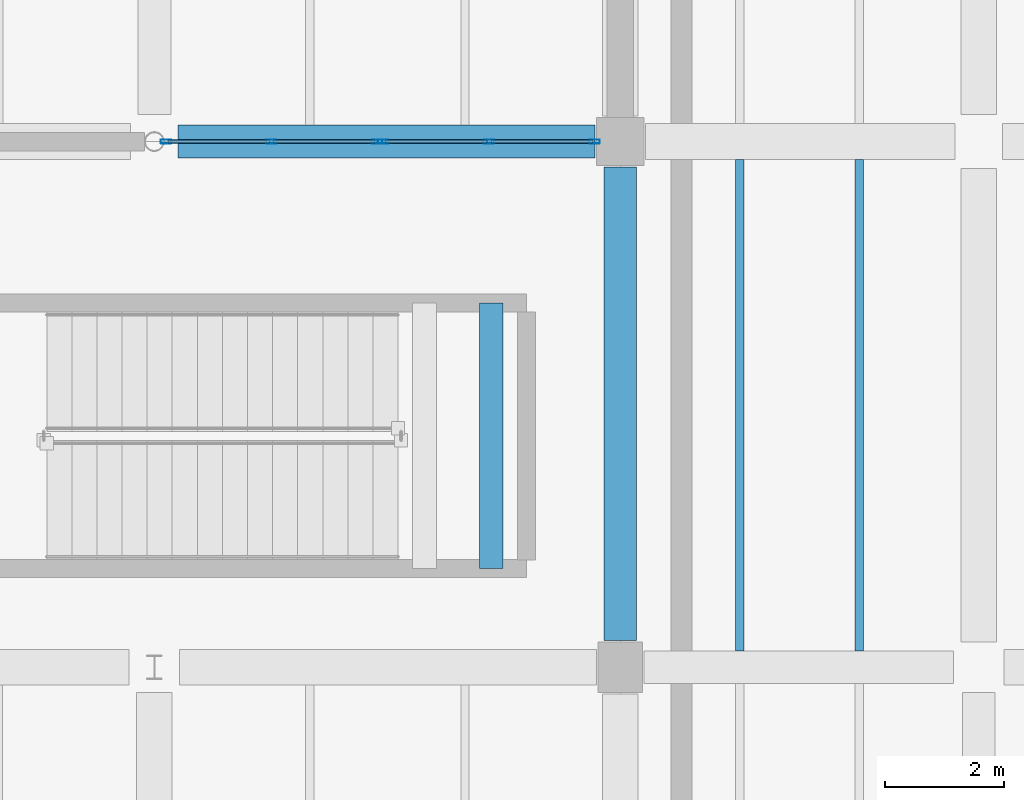
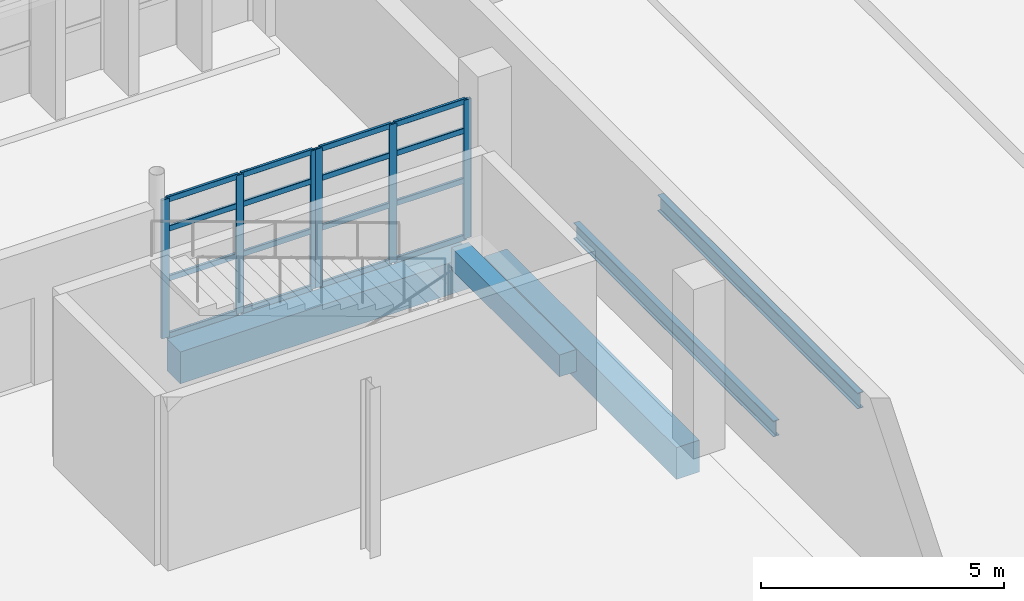
# One storey, part 26 of 76: 22 members, 5 beams, 2 elements without a shape of their own.
"""IFC4 building model written with IfcOpenShell, lengths in metres."""

from ifc_helpers import new_model, si_unit, direction, frame, origin, origin_2d, place, context, subcontext, project, spatial, rectangle, hollow_rectangle, i_section, extrude, material, material_profile, profile_set, type_object, element, aggregate, save


model = new_model("IFC4")

# Units and contexts
model_context = context("Model", 3, precision=1e-05, world=origin(), true_north=direction((0.0, 1.0)))
body_context = subcontext(model_context, "Body", "Model", "MODEL_VIEW")
ifc_project = project(units=[si_unit("LENGTHUNIT", "METRE"), si_unit("AREAUNIT", "SQUARE_METRE"), si_unit("VOLUMEUNIT", "CUBIC_METRE"), si_unit("PLANEANGLEUNIT", "RADIAN"), si_unit("MASSUNIT", "GRAM", prefix="KILO")], contexts=[model_context])

# Site, building, storey
site_placement = place(None, origin())
site = spatial("IfcSite", under=ifc_project, at=site_placement, CompositionType="ELEMENT")
building_placement = place(site_placement, origin())
building = spatial("IfcBuilding", under=site, at=building_placement, Name="Varnakota Cinema and Media Centre", CompositionType="ELEMENT")
storey_placement = place(building_placement, origin())
storey = spatial("IfcBuildingStorey", under=building, at=storey_placement, Name="L00", CompositionType="ELEMENT", Elevation=0.0)

# Beams
ifc_material_1 = material(Name="Concrete M35", Category="concrete")
ifc_material_profile_1 = material_profile(ifc_material_1, rectangle(XDim=0.39990234375, YDim=0.550048828125, at=origin_2d()), Name="RCB 400x550")
ifc_profile_set_1 = profile_set([ifc_material_profile_1], Name="Concrete M35")
beam_type_1 = type_object("IfcBeamType", Name="BM-RC-400x550", PredefinedType="BEAM", material=ifc_profile_set_1)
beam_1_placement = place(storey_placement, frame((72.840087890625, 19.25, 1.77490234375), z_axis=(0.0, 1.0, 0.0), x_axis=(-1.0, 0.0, 0.0)))
element("IfcBeam", 1, at=beam_1_placement, inside=storey, type_object=beam_type_1, Name="L00 ST-04 landing support beam 2", PredefinedType="BEAM", context=body_context, shape_type="SweptSolid", body=[
    extrude(rectangle(XDim=0.39990234375, YDim=0.550048828125, at=origin_2d()), origin(), (0.0, 0.0, 1.0), 4.449951171875),
])
ifc_material_2 = material(Name="Concrete M35", Category="concrete")
ifc_material_profile_2 = material_profile(ifc_material_2, rectangle(XDim=0.550048828125, YDim=0.800048828125, at=origin_2d()), Name="RCB 550x800")
ifc_profile_set_2 = profile_set([ifc_material_profile_2], Name="Concrete M35")
beam_type_2 = type_object("IfcBeamType", Name="BM-RC-550x800", PredefinedType="BEAM", material=ifc_profile_set_2)
beam_2_placement = place(storey_placement, frame((67.60009765625, 26.39990234375, -0.679931640625), z_axis=(1.0, 0.0, 0.0), x_axis=(0.0, 1.0, 0.0)))
element("IfcBeam", 2, at=beam_2_placement, inside=storey, type_object=beam_type_2, Name="L00 girder J-K/4", PredefinedType="BEAM", context=body_context, shape_type="SweptSolid", body=[
    extrude(rectangle(XDim=0.550048828125, YDim=0.800048828125, at=origin_2d()), origin(), (0.0, 0.0, 1.0), 6.974853515625),
])
beam_3_placement = place(storey_placement, frame((75.0, 18.050048828125, -0.679931640625), z_axis=(0.0, 1.0, 0.0), x_axis=(-1.0, 0.0, 0.0)))
element("IfcBeam", 3, at=beam_3_placement, inside=storey, type_object=beam_type_2, Name="L00 girder K/3-4", PredefinedType="BEAM", context=body_context, shape_type="SweptSolid", body=[
    extrude(rectangle(XDim=0.550048828125, YDim=0.800048828125, at=origin_2d()), origin(), (0.0, 0.0, 1.0), 7.925048828125),
])
ifc_material_3 = material(Name="Structural steel Grade 350 (E350)", Category="steel")
ifc_material_profile_3 = material_profile(ifc_material_3, i_section(OverallWidth=0.139892578125, OverallDepth=0.39990234375, WebThickness=0.0087890625, FlangeThickness=0.01611328125, FilletRadius=0.013916015625, at=origin_2d()), Name="ISMB 400")
ifc_profile_set_3 = profile_set([ifc_material_profile_3], Name="Structural steel Grade 350 (E350)")
beam_type_3 = type_object("IfcBeamType", Name="BM-ST-ISMB400", PredefinedType="JOIST", material=ifc_profile_set_3)
for number, where, z_axis, x_axis, name in (
    (4, (77.0, 17.875, -0.47998046875), (0.0, 1.0, 0.0), (-1.0, 0.0, 0.0), "L00 steel joist K-L/3-4 #1"),
    (5, (79.0, 17.875, -0.47998046875), (0.0, 1.0, 0.0), (-1.0, 0.0, 0.0), "L00 steel joist K-L/3-4 #2"),
):
    element("IfcBeam", number, at=place(storey_placement, frame(where, z_axis=z_axis, x_axis=x_axis)), inside=storey, type_object=beam_type_3, Name=name, PredefinedType="JOIST", context=body_context, shape_type="SweptSolid", body=[
        extrude(i_section(OverallWidth=0.139892578125, OverallDepth=0.39990234375, WebThickness=0.0087890625, FlangeThickness=0.01611328125, FilletRadius=0.013916015625, at=origin_2d()), origin(), (0.0, 0.0, 1.0), 8.22509765625),
    ])

# Curtain wall, members
ifc_material_4 = material(Name="Thermally broken anodised aluminium AW-6063", Category="aluminium")
curtain_wall_type = type_object("IfcCurtainWallType", Name="CW-STD-360x348", PredefinedType="USERDEFINED", material=ifc_material_4)
curtain_wall_1_placement = place(storey_placement, origin())
curtain_wall_1 = element("IfcCurtainWall", 6, at=curtain_wall_1_placement, inside=storey, type_object=curtain_wall_type, Name="L00 curtain wall CW-L00-V6-N-03-1", ObjectType="UNITISED CURTAIN WALL", PredefinedType="USERDEFINED")
ifc_material_5 = material(Name="Thermally broken anodised aluminium AW-6063", Category="aluminium")
ifc_material_profile_4 = material_profile(ifc_material_5, hollow_rectangle(XDim=0.06494140625, YDim=0.179931640625, WallThickness=0.00390625, InnerFilletRadius=0.00390625, OuterFilletRadius=0.008056640625, at=origin_2d()), Name="AL-MULLION 180x65x4")
ifc_profile_set_4 = profile_set([ifc_material_profile_4], Name="Thermally broken anodised aluminium AW-6063")
member_type_1 = type_object("IfcMemberType", Name="CWM-AL-180", PredefinedType="MULLION", material=ifc_profile_set_4)
member_1_placement = place(storey_placement, frame((67.39453125, 26.39990234375, 0.0), z_axis=(0.0, 0.0, 1.0), x_axis=(0.0, 1.0, 0.0)))
member_1 = element("IfcMember", 7, at=member_1_placement, type_object=member_type_1, Name="CW10 mullion 1", PredefinedType="MULLION", context=body_context, shape_type="SweptSolid", body=[
    extrude(hollow_rectangle(XDim=0.06494140625, YDim=0.179931640625, WallThickness=0.00390625, InnerFilletRadius=0.00390625, OuterFilletRadius=0.008056640625, at=origin_2d()), origin(), (0.0, 0.0, 1.0), 3.485107421875),
])
member_2_placement = place(storey_placement, frame((69.16162109375, 26.39990234375, 0.0), z_axis=(0.0, 0.0, 1.0), x_axis=(0.0, 1.0, 0.0)))
member_2 = element("IfcMember", 8, at=member_2_placement, type_object=member_type_1, Name="CW10 mullion 2", PredefinedType="MULLION", context=body_context, shape_type="SweptSolid", body=[
    extrude(hollow_rectangle(XDim=0.06494140625, YDim=0.179931640625, WallThickness=0.00390625, InnerFilletRadius=0.00390625, OuterFilletRadius=0.008056640625, at=origin_2d()), origin(), (0.0, 0.0, 1.0), 3.485107421875),
])
member_3_placement = place(storey_placement, frame((70.928466796875, 26.39990234375, 0.0), z_axis=(0.0, 0.0, 1.0), x_axis=(0.0, 1.0, 0.0)))
member_3 = element("IfcMember", 9, at=member_3_placement, type_object=member_type_1, Name="CW10 mullion 3", PredefinedType="MULLION", context=body_context, shape_type="SweptSolid", body=[
    extrude(hollow_rectangle(XDim=0.06494140625, YDim=0.179931640625, WallThickness=0.00390625, InnerFilletRadius=0.00390625, OuterFilletRadius=0.008056640625, at=origin_2d()), origin(), (0.0, 0.0, 1.0), 3.485107421875),
])

curtain_wall_2_placement = place(storey_placement, origin())
curtain_wall_2 = element("IfcCurtainWall", 10, at=curtain_wall_2_placement, inside=storey, type_object=curtain_wall_type, Name="L00 curtain wall CW-L00-V6-N-03-2", ObjectType="UNITISED CURTAIN WALL", PredefinedType="USERDEFINED")
member_4_placement = place(storey_placement, frame((71.033447265625, 26.39990234375, 0.0), z_axis=(0.0, 0.0, 1.0), x_axis=(0.0, 1.0, 0.0)))
member_4 = element("IfcMember", 11, at=member_4_placement, type_object=member_type_1, Name="CW10 mullion 1", PredefinedType="MULLION", context=body_context, shape_type="SweptSolid", body=[
    extrude(hollow_rectangle(XDim=0.06494140625, YDim=0.179931640625, WallThickness=0.00390625, InnerFilletRadius=0.00390625, OuterFilletRadius=0.008056640625, at=origin_2d()), origin(), (0.0, 0.0, 1.0), 3.485107421875),
])
member_5_placement = place(storey_placement, frame((72.800537109375, 26.39990234375, 0.0), z_axis=(0.0, 0.0, 1.0), x_axis=(0.0, 1.0, 0.0)))
member_5 = element("IfcMember", 12, at=member_5_placement, type_object=member_type_1, Name="CW10 mullion 2", PredefinedType="MULLION", context=body_context, shape_type="SweptSolid", body=[
    extrude(hollow_rectangle(XDim=0.06494140625, YDim=0.179931640625, WallThickness=0.00390625, InnerFilletRadius=0.00390625, OuterFilletRadius=0.008056640625, at=origin_2d()), origin(), (0.0, 0.0, 1.0), 3.485107421875),
])
member_6_placement = place(storey_placement, frame((74.5673828125, 26.39990234375, 0.0), z_axis=(0.0, 0.0, 1.0), x_axis=(0.0, 1.0, 0.0)))
member_6 = element("IfcMember", 13, at=member_6_placement, type_object=member_type_1, Name="CW10 mullion 3", PredefinedType="MULLION", context=body_context, shape_type="SweptSolid", body=[
    extrude(hollow_rectangle(XDim=0.06494140625, YDim=0.179931640625, WallThickness=0.00390625, InnerFilletRadius=0.00390625, OuterFilletRadius=0.008056640625, at=origin_2d()), origin(), (0.0, 0.0, 1.0), 3.485107421875),
])

# Member
ifc_material_6 = material(Name="Thermally broken anodised aluminium AW-6063", Category="aluminium")
ifc_material_profile_5 = material_profile(ifc_material_6, hollow_rectangle(XDim=0.06494140625, YDim=0.139892578125, WallThickness=0.00390625, InnerFilletRadius=0.00390625, OuterFilletRadius=0.008056640625, at=origin_2d()), Name="AL-TRANSOM 140x65x4")
ifc_profile_set_5 = profile_set([ifc_material_profile_5], Name="Thermally broken anodised aluminium AW-6063")
member_type_2 = type_object("IfcMemberType", Name="CWT-AL-140", PredefinedType="USERDEFINED", material=ifc_profile_set_5)
member_7_placement = place(storey_placement, frame((67.427001953125, 26.39990234375, 0.032470703125), z_axis=(1.0, 0.0, 0.0), x_axis=(0.0, 1.0, 0.0)))
member_7 = element("IfcMember", 14, at=member_7_placement, type_object=member_type_2, Name="CW10 transom 1.1", ObjectType="TRANSOM", PredefinedType="USERDEFINED", context=body_context, shape_type="SweptSolid", body=[
    extrude(hollow_rectangle(XDim=0.06494140625, YDim=0.139892578125, WallThickness=0.00390625, InnerFilletRadius=0.00390625, OuterFilletRadius=0.008056640625, at=origin_2d()), origin(), (0.0, 0.0, 1.0), 1.701904296875),
])

member_8_placement = place(storey_placement, frame((67.427001953125, 26.39990234375, 1.463623046875), z_axis=(1.0, 0.0, 0.0), x_axis=(0.0, 1.0, 0.0)))
member_8 = element("IfcMember", 15, at=member_8_placement, type_object=member_type_2, Name="CW10 transom 1.2", ObjectType="TRANSOM", PredefinedType="USERDEFINED", context=body_context, shape_type="SweptSolid", body=[
    extrude(hollow_rectangle(XDim=0.06494140625, YDim=0.139892578125, WallThickness=0.00390625, InnerFilletRadius=0.00390625, OuterFilletRadius=0.008056640625, at=origin_2d()), origin(), (0.0, 0.0, 1.0), 1.701904296875),
])

member_9_placement = place(storey_placement, frame((67.427001953125, 26.39990234375, 2.71826171875), z_axis=(1.0, 0.0, 0.0), x_axis=(0.0, 1.0, 0.0)))
member_9 = element("IfcMember", 16, at=member_9_placement, type_object=member_type_2, Name="CW10 transom 1.3", ObjectType="TRANSOM", PredefinedType="USERDEFINED", context=body_context, shape_type="SweptSolid", body=[
    extrude(hollow_rectangle(XDim=0.06494140625, YDim=0.139892578125, WallThickness=0.00390625, InnerFilletRadius=0.00390625, OuterFilletRadius=0.008056640625, at=origin_2d()), origin(), (0.0, 0.0, 1.0), 1.701904296875),
])

member_10_placement = place(storey_placement, frame((67.427001953125, 26.39990234375, 3.452392578125), z_axis=(1.0, 0.0, 0.0), x_axis=(0.0, 1.0, 0.0)))
member_10 = element("IfcMember", 17, at=member_10_placement, type_object=member_type_2, Name="CW10 transom 1.4", ObjectType="TRANSOM", PredefinedType="USERDEFINED", context=body_context, shape_type="SweptSolid", body=[
    extrude(hollow_rectangle(XDim=0.06494140625, YDim=0.139892578125, WallThickness=0.00390625, InnerFilletRadius=0.00390625, OuterFilletRadius=0.008056640625, at=origin_2d()), origin(), (0.0, 0.0, 1.0), 1.701904296875),
])

member_11_placement = place(storey_placement, frame((69.194091796875, 26.39990234375, 0.032470703125), z_axis=(1.0, 0.0, 0.0), x_axis=(0.0, 1.0, 0.0)))
member_11 = element("IfcMember", 18, at=member_11_placement, type_object=member_type_2, Name="CW10 transom 2.1", ObjectType="TRANSOM", PredefinedType="USERDEFINED", context=body_context, shape_type="SweptSolid", body=[
    extrude(hollow_rectangle(XDim=0.06494140625, YDim=0.139892578125, WallThickness=0.00390625, InnerFilletRadius=0.00390625, OuterFilletRadius=0.008056640625, at=origin_2d()), origin(), (0.0, 0.0, 1.0), 1.701904296875),
])

member_12_placement = place(storey_placement, frame((69.194091796875, 26.39990234375, 1.463623046875), z_axis=(1.0, 0.0, 0.0), x_axis=(0.0, 1.0, 0.0)))
member_12 = element("IfcMember", 19, at=member_12_placement, type_object=member_type_2, Name="CW10 transom 2.2", ObjectType="TRANSOM", PredefinedType="USERDEFINED", context=body_context, shape_type="SweptSolid", body=[
    extrude(hollow_rectangle(XDim=0.06494140625, YDim=0.139892578125, WallThickness=0.00390625, InnerFilletRadius=0.00390625, OuterFilletRadius=0.008056640625, at=origin_2d()), origin(), (0.0, 0.0, 1.0), 1.701904296875),
])

member_13_placement = place(storey_placement, frame((69.194091796875, 26.39990234375, 2.71826171875), z_axis=(1.0, 0.0, 0.0), x_axis=(0.0, 1.0, 0.0)))
member_13 = element("IfcMember", 20, at=member_13_placement, type_object=member_type_2, Name="CW10 transom 2.3", ObjectType="TRANSOM", PredefinedType="USERDEFINED", context=body_context, shape_type="SweptSolid", body=[
    extrude(hollow_rectangle(XDim=0.06494140625, YDim=0.139892578125, WallThickness=0.00390625, InnerFilletRadius=0.00390625, OuterFilletRadius=0.008056640625, at=origin_2d()), origin(), (0.0, 0.0, 1.0), 1.701904296875),
])

member_14_placement = place(storey_placement, frame((69.194091796875, 26.39990234375, 3.452392578125), z_axis=(1.0, 0.0, 0.0), x_axis=(0.0, 1.0, 0.0)))
member_14 = element("IfcMember", 21, at=member_14_placement, type_object=member_type_2, Name="CW10 transom 2.4", ObjectType="TRANSOM", PredefinedType="USERDEFINED", context=body_context, shape_type="SweptSolid", body=[
    extrude(hollow_rectangle(XDim=0.06494140625, YDim=0.139892578125, WallThickness=0.00390625, InnerFilletRadius=0.00390625, OuterFilletRadius=0.008056640625, at=origin_2d()), origin(), (0.0, 0.0, 1.0), 1.701904296875),
])

aggregate(curtain_wall_1, [member_1, member_2, member_3, member_7, member_8, member_9, member_10, member_11, member_12, member_13, member_14])

member_15_placement = place(storey_placement, frame((71.06591796875, 26.39990234375, 0.032470703125), z_axis=(1.0, 0.0, 0.0), x_axis=(0.0, 1.0, 0.0)))
member_15 = element("IfcMember", 22, at=member_15_placement, type_object=member_type_2, Name="CW10 transom 1.1", ObjectType="TRANSOM", PredefinedType="USERDEFINED", context=body_context, shape_type="SweptSolid", body=[
    extrude(hollow_rectangle(XDim=0.06494140625, YDim=0.139892578125, WallThickness=0.00390625, InnerFilletRadius=0.00390625, OuterFilletRadius=0.008056640625, at=origin_2d()), origin(), (0.0, 0.0, 1.0), 1.7021484375),
])

member_16_placement = place(storey_placement, frame((71.06591796875, 26.39990234375, 1.463623046875), z_axis=(1.0, 0.0, 0.0), x_axis=(0.0, 1.0, 0.0)))
member_16 = element("IfcMember", 23, at=member_16_placement, type_object=member_type_2, Name="CW10 transom 1.2", ObjectType="TRANSOM", PredefinedType="USERDEFINED", context=body_context, shape_type="SweptSolid", body=[
    extrude(hollow_rectangle(XDim=0.06494140625, YDim=0.139892578125, WallThickness=0.00390625, InnerFilletRadius=0.00390625, OuterFilletRadius=0.008056640625, at=origin_2d()), origin(), (0.0, 0.0, 1.0), 1.7021484375),
])

member_17_placement = place(storey_placement, frame((71.06591796875, 26.39990234375, 2.71826171875), z_axis=(1.0, 0.0, 0.0), x_axis=(0.0, 1.0, 0.0)))
member_17 = element("IfcMember", 24, at=member_17_placement, type_object=member_type_2, Name="CW10 transom 1.3", ObjectType="TRANSOM", PredefinedType="USERDEFINED", context=body_context, shape_type="SweptSolid", body=[
    extrude(hollow_rectangle(XDim=0.06494140625, YDim=0.139892578125, WallThickness=0.00390625, InnerFilletRadius=0.00390625, OuterFilletRadius=0.008056640625, at=origin_2d()), origin(), (0.0, 0.0, 1.0), 1.7021484375),
])

member_18_placement = place(storey_placement, frame((71.06591796875, 26.39990234375, 3.452392578125), z_axis=(1.0, 0.0, 0.0), x_axis=(0.0, 1.0, 0.0)))
member_18 = element("IfcMember", 25, at=member_18_placement, type_object=member_type_2, Name="CW10 transom 1.4", ObjectType="TRANSOM", PredefinedType="USERDEFINED", context=body_context, shape_type="SweptSolid", body=[
    extrude(hollow_rectangle(XDim=0.06494140625, YDim=0.139892578125, WallThickness=0.00390625, InnerFilletRadius=0.00390625, OuterFilletRadius=0.008056640625, at=origin_2d()), origin(), (0.0, 0.0, 1.0), 1.7021484375),
])

member_19_placement = place(storey_placement, frame((72.8330078125, 26.39990234375, 0.032470703125), z_axis=(1.0, 0.0, 0.0), x_axis=(0.0, 1.0, 0.0)))
member_19 = element("IfcMember", 26, at=member_19_placement, type_object=member_type_2, Name="CW10 transom 2.1", ObjectType="TRANSOM", PredefinedType="USERDEFINED", context=body_context, shape_type="SweptSolid", body=[
    extrude(hollow_rectangle(XDim=0.06494140625, YDim=0.139892578125, WallThickness=0.00390625, InnerFilletRadius=0.00390625, OuterFilletRadius=0.008056640625, at=origin_2d()), origin(), (0.0, 0.0, 1.0), 1.701904296875),
])

member_20_placement = place(storey_placement, frame((72.8330078125, 26.39990234375, 1.463623046875), z_axis=(1.0, 0.0, 0.0), x_axis=(0.0, 1.0, 0.0)))
member_20 = element("IfcMember", 27, at=member_20_placement, type_object=member_type_2, Name="CW10 transom 2.2", ObjectType="TRANSOM", PredefinedType="USERDEFINED", context=body_context, shape_type="SweptSolid", body=[
    extrude(hollow_rectangle(XDim=0.06494140625, YDim=0.139892578125, WallThickness=0.00390625, InnerFilletRadius=0.00390625, OuterFilletRadius=0.008056640625, at=origin_2d()), origin(), (0.0, 0.0, 1.0), 1.701904296875),
])

member_21_placement = place(storey_placement, frame((72.8330078125, 26.39990234375, 2.71826171875), z_axis=(1.0, 0.0, 0.0), x_axis=(0.0, 1.0, 0.0)))
member_21 = element("IfcMember", 28, at=member_21_placement, type_object=member_type_2, Name="CW10 transom 2.3", ObjectType="TRANSOM", PredefinedType="USERDEFINED", context=body_context, shape_type="SweptSolid", body=[
    extrude(hollow_rectangle(XDim=0.06494140625, YDim=0.139892578125, WallThickness=0.00390625, InnerFilletRadius=0.00390625, OuterFilletRadius=0.008056640625, at=origin_2d()), origin(), (0.0, 0.0, 1.0), 1.701904296875),
])

member_22_placement = place(storey_placement, frame((72.8330078125, 26.39990234375, 3.452392578125), z_axis=(1.0, 0.0, 0.0), x_axis=(0.0, 1.0, 0.0)))
member_22 = element("IfcMember", 29, at=member_22_placement, type_object=member_type_2, Name="CW10 transom 2.4", ObjectType="TRANSOM", PredefinedType="USERDEFINED", context=body_context, shape_type="SweptSolid", body=[
    extrude(hollow_rectangle(XDim=0.06494140625, YDim=0.139892578125, WallThickness=0.00390625, InnerFilletRadius=0.00390625, OuterFilletRadius=0.008056640625, at=origin_2d()), origin(), (0.0, 0.0, 1.0), 1.701904296875),
])

aggregate(curtain_wall_2, [member_4, member_5, member_6, member_15, member_16, member_17, member_18, member_19, member_20, member_21, member_22])

save(model, "model.ifc")
